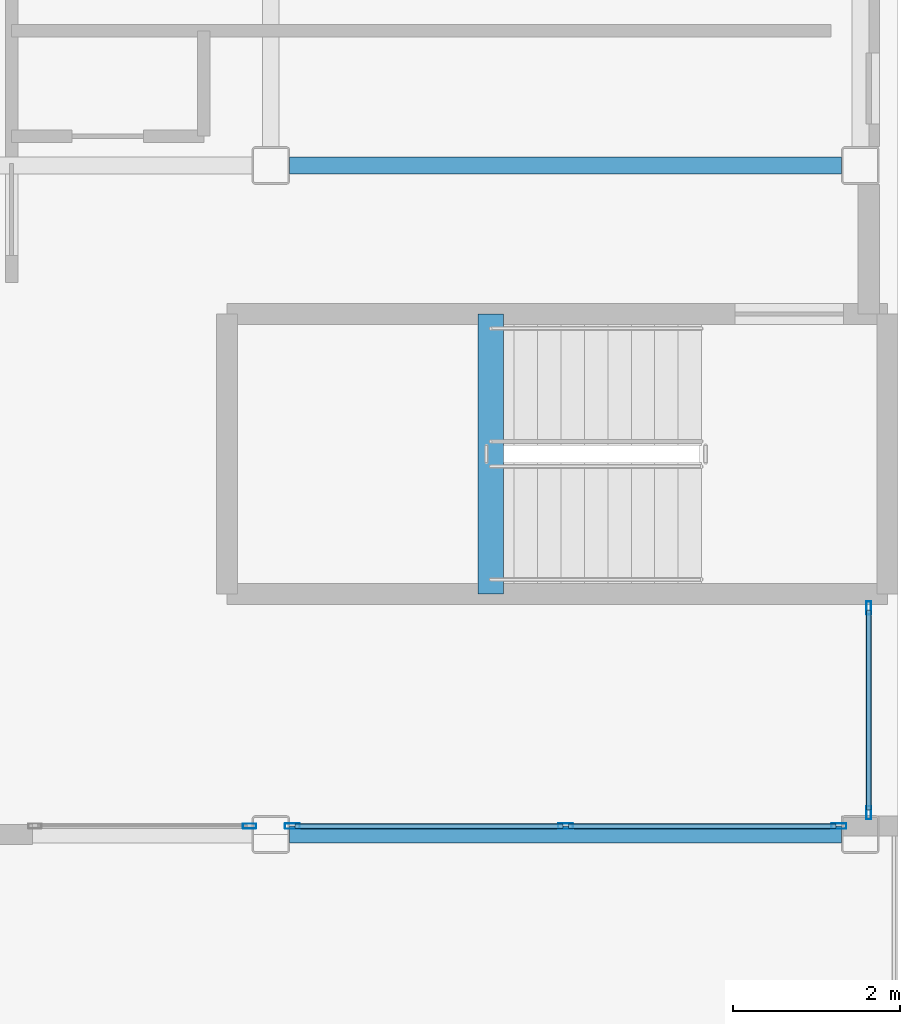
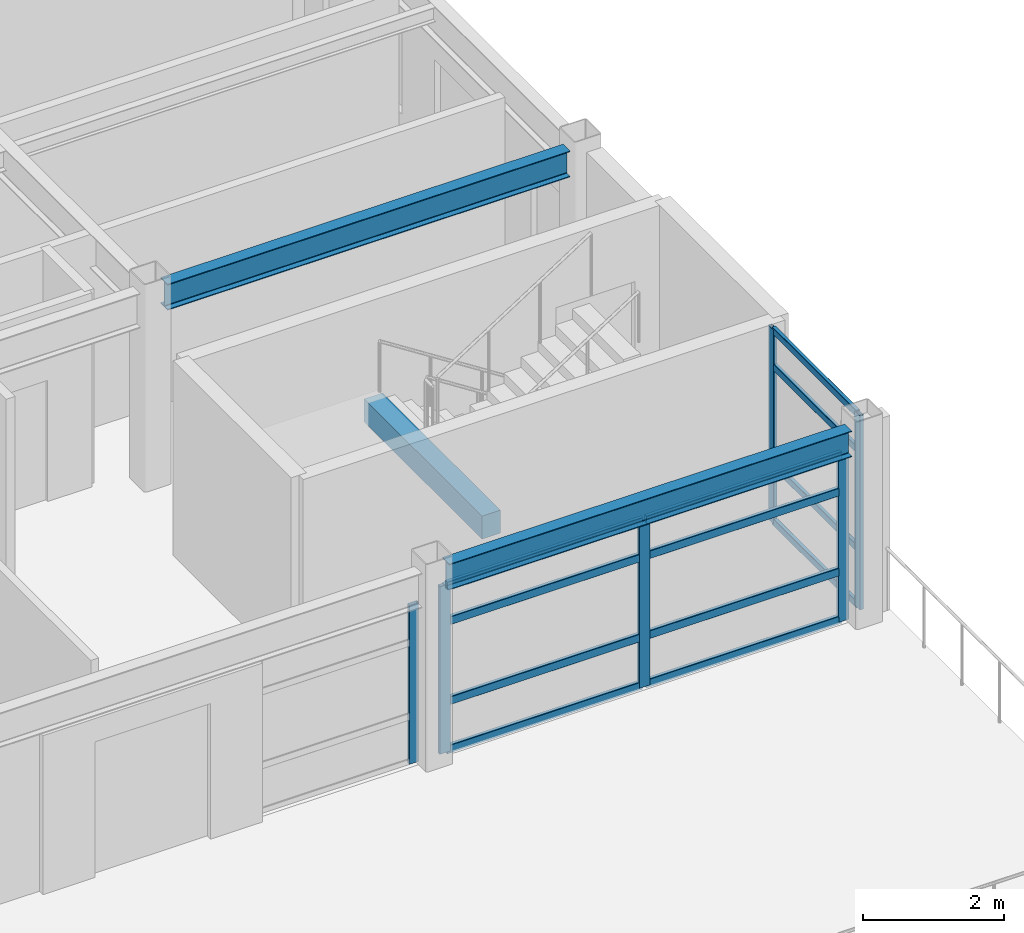
# One storey, part 6 of 28: 18 members, 3 beams, 3 elements without a shape of their own.
"""IFC4 building model written with IfcOpenShell, lengths in metres."""

from ifc_helpers import new_model, si_unit, direction, frame, origin, origin_2d, place, context, subcontext, project, spatial, rectangle, hollow_rectangle, i_section, extrude, material, layer, layer_set, material_profile, profile_set, type_object, element, aggregate, save


model = new_model("IFC4")

# Units and contexts
model_context = context("Model", 3, precision=1e-05, world=origin(), true_north=direction((0.0, 1.0)))
body_context = subcontext(model_context, "Body", "Model", "MODEL_VIEW")
ifc_project = project(units=[si_unit("LENGTHUNIT", "METRE"), si_unit("AREAUNIT", "SQUARE_METRE"), si_unit("VOLUMEUNIT", "CUBIC_METRE"), si_unit("PLANEANGLEUNIT", "RADIAN"), si_unit("MASSUNIT", "GRAM", prefix="KILO")], contexts=[model_context])

# Site, building, storey
site_placement = place(None, origin())
site = spatial("IfcSite", under=ifc_project, at=site_placement, CompositionType="ELEMENT")
building_placement = place(site_placement, origin())
building = spatial("IfcBuilding", under=site, at=building_placement, Name="Kazehara Bluff Congress Hotel", CompositionType="ELEMENT")
storey_placement = place(building_placement, frame((0.0, 0.0, 42.60009765625)))
storey = spatial("IfcBuildingStorey", under=building, at=storey_placement, Name="L10", CompositionType="ELEMENT", Elevation=42.60009765625)

# Curtain wall, member
ifc_material_1 = material(Name="Anodised aluminium", Category="aluminium")
ifc_layer_1 = layer(ifc_material_1, 0.159912109375)
ifc_layer_set_1 = layer_set([ifc_layer_1], Name="Anodised aluminium")
curtain_wall_type_1 = type_object("IfcCurtainWallType", Name="TP-CW-197", PredefinedType="NOTDEFINED", material=ifc_layer_set_1)
curtain_wall_1_placement = place(storey_placement, origin())
curtain_wall_1 = element("IfcCurtainWall", 1, at=curtain_wall_1_placement, inside=storey, type_object=curtain_wall_type_1, Name="L10 curtain wall CW-197 CW-ENC-V5-L10-15896-1610", PredefinedType="NOTDEFINED")
ifc_material_2 = material(Name="Anodised aluminium", Category="aluminium")
ifc_material_profile_1 = material_profile(ifc_material_2, hollow_rectangle(XDim=0.06005859375, YDim=0.159912109375, WallThickness=0.00390625, InnerFilletRadius=0.00390625, OuterFilletRadius=0.008056640625, at=origin_2d()))
ifc_profile_set_1 = profile_set([ifc_material_profile_1], Name="Anodised aluminium")
member_type_1 = type_object("IfcMemberType", Name="TP-CWM-01", PredefinedType="MULLION", material=ifc_profile_set_1)
member_1_placement = place(storey_placement, frame((160.2451171875, 16.10009765625, 0.0), z_axis=(0.0, 0.0, 1.0), x_axis=(0.0, -1.0, 0.0)))
member_1 = element("IfcMember", 2, at=member_1_placement, type_object=member_type_1, Name="CW-197 mullion 1", PredefinedType="MULLION", context=body_context, shape_type="SweptSolid", body=[
    extrude(hollow_rectangle(XDim=0.06005859375, YDim=0.159912109375, WallThickness=0.00390625, InnerFilletRadius=0.00390625, OuterFilletRadius=0.008056640625, at=origin_2d()), origin(), (0.0, 0.0, 1.0), 2.7548828125),
])
aggregate(curtain_wall_1, [member_1])

# Curtain wall, members
ifc_material_3 = material(Name="Anodised aluminium", Category="aluminium")
ifc_layer_2 = layer(ifc_material_3, 0.159912109375)
ifc_layer_set_2 = layer_set([ifc_layer_2], Name="Anodised aluminium")
curtain_wall_type_2 = type_object("IfcCurtainWallType", Name="TP-CW-199", PredefinedType="NOTDEFINED", material=ifc_layer_set_2)
curtain_wall_2_placement = place(storey_placement, origin())
curtain_wall_2 = element("IfcCurtainWall", 3, at=curtain_wall_2_placement, inside=storey, type_object=curtain_wall_type_2, Name="L10 curtain wall CW-199 CW-ENC-V5-L10-16765-1748", PredefinedType="NOTDEFINED")
member_2_placement = place(storey_placement, frame((167.64990234375, 18.7099609375, 0.0), z_axis=(0.0, 0.0, 1.0), x_axis=(1.0, 0.0, 0.0)))
member_2 = element("IfcMember", 4, at=member_2_placement, type_object=member_type_1, Name="CW-199 mullion 1", PredefinedType="MULLION", context=body_context, shape_type="SweptSolid", body=[
    extrude(hollow_rectangle(XDim=0.06005859375, YDim=0.159912109375, WallThickness=0.00390625, InnerFilletRadius=0.00390625, OuterFilletRadius=0.008056640625, at=origin_2d()), origin(), (0.0, 0.0, 1.0), 3.364990234375),
])
member_3_placement = place(storey_placement, frame((167.64990234375, 16.260009765625, 0.0), z_axis=(0.0, 0.0, 1.0), x_axis=(1.0, 0.0, 0.0)))
member_3 = element("IfcMember", 5, at=member_3_placement, type_object=member_type_1, Name="CW-199 mullion 2", PredefinedType="MULLION", context=body_context, shape_type="SweptSolid", body=[
    extrude(hollow_rectangle(XDim=0.06005859375, YDim=0.159912109375, WallThickness=0.00390625, InnerFilletRadius=0.00390625, OuterFilletRadius=0.008056640625, at=origin_2d()), origin(), (0.0, 0.0, 1.0), 3.364990234375),
])

ifc_material_4 = material(Name="Anodised aluminium", Category="aluminium")
ifc_layer_3 = layer(ifc_material_4, 0.159912109375)
ifc_layer_set_3 = layer_set([ifc_layer_3], Name="Anodised aluminium")
curtain_wall_type_3 = type_object("IfcCurtainWallType", Name="TP-CW-198", PredefinedType="NOTDEFINED", material=ifc_layer_set_3)
curtain_wall_3_placement = place(storey_placement, origin())
curtain_wall_3 = element("IfcCurtainWall", 6, at=curtain_wall_3_placement, inside=storey, type_object=curtain_wall_type_3, Name="L10 curtain wall CW-198 CW-ENC-V5-L10-16402-1610", PredefinedType="NOTDEFINED")
ifc_material_5 = material(Name="Anodised aluminium", Category="aluminium")
ifc_material_profile_2 = material_profile(ifc_material_5, hollow_rectangle(XDim=0.06494140625, YDim=0.179931640625, WallThickness=0.00390625, InnerFilletRadius=0.00390625, OuterFilletRadius=0.008056640625, at=origin_2d()))
ifc_profile_set_2 = profile_set([ifc_material_profile_2], Name="Anodised aluminium")
member_type_2 = type_object("IfcMemberType", Name="TP-CWM-02", PredefinedType="MULLION", material=ifc_profile_set_2)
member_4_placement = place(storey_placement, frame((167.29248046875, 16.10009765625, 0.0), z_axis=(0.0, 0.0, 1.0), x_axis=(0.0, -1.0, 0.0)))
member_4 = element("IfcMember", 7, at=member_4_placement, type_object=member_type_2, Name="CW-198 mullion 1", PredefinedType="MULLION", context=body_context, shape_type="SweptSolid", body=[
    extrude(hollow_rectangle(XDim=0.06494140625, YDim=0.179931640625, WallThickness=0.00390625, InnerFilletRadius=0.00390625, OuterFilletRadius=0.008056640625, at=origin_2d()), origin(), (0.0, 0.0, 1.0), 2.90478515625),
])
member_5_placement = place(storey_placement, frame((164.02490234375, 16.10009765625, 0.0), z_axis=(0.0, 0.0, 1.0), x_axis=(0.0, -1.0, 0.0)))
member_5 = element("IfcMember", 8, at=member_5_placement, type_object=member_type_2, Name="CW-198 mullion 2", PredefinedType="MULLION", context=body_context, shape_type="SweptSolid", body=[
    extrude(hollow_rectangle(XDim=0.06494140625, YDim=0.179931640625, WallThickness=0.00390625, InnerFilletRadius=0.00390625, OuterFilletRadius=0.008056640625, at=origin_2d()), origin(), (0.0, 0.0, 1.0), 2.90478515625),
])
member_6_placement = place(storey_placement, frame((160.757568359375, 16.10009765625, 0.0), z_axis=(0.0, 0.0, 1.0), x_axis=(0.0, -1.0, 0.0)))
member_6 = element("IfcMember", 9, at=member_6_placement, type_object=member_type_2, Name="CW-198 mullion 3", PredefinedType="MULLION", context=body_context, shape_type="SweptSolid", body=[
    extrude(hollow_rectangle(XDim=0.06494140625, YDim=0.179931640625, WallThickness=0.00390625, InnerFilletRadius=0.00390625, OuterFilletRadius=0.008056640625, at=origin_2d()), origin(), (0.0, 0.0, 1.0), 2.90478515625),
])

# Member
ifc_material_6 = material(Name="Anodised aluminium", Category="aluminium")
ifc_material_profile_3 = material_profile(ifc_material_6, hollow_rectangle(XDim=0.06005859375, YDim=0.1201171875, WallThickness=0.00390625, InnerFilletRadius=0.00390625, OuterFilletRadius=0.008056640625, at=origin_2d()))
ifc_profile_set_3 = profile_set([ifc_material_profile_3], Name="Anodised aluminium")
member_type_3 = type_object("IfcMemberType", Name="TP-CWT-01", PredefinedType="USERDEFINED", material=ifc_profile_set_3)
member_7_placement = place(storey_placement, frame((167.64990234375, 18.679931640625, 0.02978515625), z_axis=(0.0, -1.0, 0.0), x_axis=(1.0, 0.0, 0.0)))
member_7 = element("IfcMember", 10, at=member_7_placement, type_object=member_type_3, Name="CW-199 transom 1.1", ObjectType="TRANSOM", PredefinedType="USERDEFINED", context=body_context, shape_type="SweptSolid", body=[
    extrude(hollow_rectangle(XDim=0.06005859375, YDim=0.1201171875, WallThickness=0.00390625, InnerFilletRadius=0.00390625, OuterFilletRadius=0.008056640625, at=origin_2d()), origin(), (0.0, 0.0, 1.0), 2.389892578125),
])

member_8_placement = place(storey_placement, frame((167.64990234375, 18.679931640625, 1.010009765625), z_axis=(0.0, -1.0, 0.0), x_axis=(1.0, 0.0, 0.0)))
member_8 = element("IfcMember", 11, at=member_8_placement, type_object=member_type_3, Name="CW-199 transom 1.2", ObjectType="TRANSOM", PredefinedType="USERDEFINED", context=body_context, shape_type="SweptSolid", body=[
    extrude(hollow_rectangle(XDim=0.06005859375, YDim=0.1201171875, WallThickness=0.00390625, InnerFilletRadius=0.00390625, OuterFilletRadius=0.008056640625, at=origin_2d()), origin(), (0.0, 0.0, 1.0), 2.389892578125),
])

member_9_placement = place(storey_placement, frame((167.64990234375, 18.679931640625, 2.71484375), z_axis=(0.0, -1.0, 0.0), x_axis=(1.0, 0.0, 0.0)))
member_9 = element("IfcMember", 12, at=member_9_placement, type_object=member_type_3, Name="CW-199 transom 1.3", ObjectType="TRANSOM", PredefinedType="USERDEFINED", context=body_context, shape_type="SweptSolid", body=[
    extrude(hollow_rectangle(XDim=0.06005859375, YDim=0.1201171875, WallThickness=0.00390625, InnerFilletRadius=0.00390625, OuterFilletRadius=0.008056640625, at=origin_2d()), origin(), (0.0, 0.0, 1.0), 2.389892578125),
])

member_10_placement = place(storey_placement, frame((167.64990234375, 18.679931640625, 3.3349609375), z_axis=(0.0, -1.0, 0.0), x_axis=(1.0, 0.0, 0.0)))
member_10 = element("IfcMember", 13, at=member_10_placement, type_object=member_type_3, Name="CW-199 transom 1.4", ObjectType="TRANSOM", PredefinedType="USERDEFINED", context=body_context, shape_type="SweptSolid", body=[
    extrude(hollow_rectangle(XDim=0.06005859375, YDim=0.1201171875, WallThickness=0.00390625, InnerFilletRadius=0.00390625, OuterFilletRadius=0.008056640625, at=origin_2d()), origin(), (0.0, 0.0, 1.0), 2.389892578125),
])

aggregate(curtain_wall_2, [member_2, member_3, member_7, member_8, member_9, member_10])

ifc_material_7 = material(Name="Anodised aluminium", Category="aluminium")
ifc_material_profile_4 = material_profile(ifc_material_7, hollow_rectangle(XDim=0.06494140625, YDim=0.139892578125, WallThickness=0.00390625, InnerFilletRadius=0.00390625, OuterFilletRadius=0.008056640625, at=origin_2d()))
ifc_profile_set_4 = profile_set([ifc_material_profile_4], Name="Anodised aluminium")
member_type_4 = type_object("IfcMemberType", Name="TP-CWT-02", PredefinedType="USERDEFINED", material=ifc_profile_set_4)
member_11_placement = place(storey_placement, frame((167.260009765625, 16.10009765625, 0.032470703125), z_axis=(-1.0, 0.0, 0.0), x_axis=(0.0, -1.0, 0.0)))
member_11 = element("IfcMember", 14, at=member_11_placement, type_object=member_type_4, Name="CW-198 transom 1.1", ObjectType="TRANSOM", PredefinedType="USERDEFINED", context=body_context, shape_type="SweptSolid", body=[
    extrude(hollow_rectangle(XDim=0.06494140625, YDim=0.139892578125, WallThickness=0.00390625, InnerFilletRadius=0.00390625, OuterFilletRadius=0.008056640625, at=origin_2d()), origin(), (0.0, 0.0, 1.0), 3.202392578125),
])

member_12_placement = place(storey_placement, frame((167.260009765625, 16.10009765625, 0.869873046875), z_axis=(-1.0, 0.0, 0.0), x_axis=(0.0, -1.0, 0.0)))
member_12 = element("IfcMember", 15, at=member_12_placement, type_object=member_type_4, Name="CW-198 transom 1.2", ObjectType="TRANSOM", PredefinedType="USERDEFINED", context=body_context, shape_type="SweptSolid", body=[
    extrude(hollow_rectangle(XDim=0.06494140625, YDim=0.139892578125, WallThickness=0.00390625, InnerFilletRadius=0.00390625, OuterFilletRadius=0.008056640625, at=origin_2d()), origin(), (0.0, 0.0, 1.0), 3.202392578125),
])

member_13_placement = place(storey_placement, frame((167.260009765625, 16.10009765625, 2.2548828125), z_axis=(-1.0, 0.0, 0.0), x_axis=(0.0, -1.0, 0.0)))
member_13 = element("IfcMember", 16, at=member_13_placement, type_object=member_type_4, Name="CW-198 transom 1.3", ObjectType="TRANSOM", PredefinedType="USERDEFINED", context=body_context, shape_type="SweptSolid", body=[
    extrude(hollow_rectangle(XDim=0.06494140625, YDim=0.139892578125, WallThickness=0.00390625, InnerFilletRadius=0.00390625, OuterFilletRadius=0.008056640625, at=origin_2d()), origin(), (0.0, 0.0, 1.0), 3.202392578125),
])

member_14_placement = place(storey_placement, frame((167.260009765625, 16.10009765625, 2.872314453125), z_axis=(-1.0, 0.0, 0.0), x_axis=(0.0, -1.0, 0.0)))
member_14 = element("IfcMember", 17, at=member_14_placement, type_object=member_type_4, Name="CW-198 transom 1.4", ObjectType="TRANSOM", PredefinedType="USERDEFINED", context=body_context, shape_type="SweptSolid", body=[
    extrude(hollow_rectangle(XDim=0.06494140625, YDim=0.139892578125, WallThickness=0.00390625, InnerFilletRadius=0.00390625, OuterFilletRadius=0.008056640625, at=origin_2d()), origin(), (0.0, 0.0, 1.0), 3.202392578125),
])

member_15_placement = place(storey_placement, frame((163.992431640625, 16.10009765625, 0.032470703125), z_axis=(-1.0, 0.0, 0.0), x_axis=(0.0, -1.0, 0.0)))
member_15 = element("IfcMember", 18, at=member_15_placement, type_object=member_type_4, Name="CW-198 transom 2.1", ObjectType="TRANSOM", PredefinedType="USERDEFINED", context=body_context, shape_type="SweptSolid", body=[
    extrude(hollow_rectangle(XDim=0.06494140625, YDim=0.139892578125, WallThickness=0.00390625, InnerFilletRadius=0.00390625, OuterFilletRadius=0.008056640625, at=origin_2d()), origin(), (0.0, 0.0, 1.0), 3.202392578125),
])

member_16_placement = place(storey_placement, frame((163.992431640625, 16.10009765625, 0.869873046875), z_axis=(-1.0, 0.0, 0.0), x_axis=(0.0, -1.0, 0.0)))
member_16 = element("IfcMember", 19, at=member_16_placement, type_object=member_type_4, Name="CW-198 transom 2.2", ObjectType="TRANSOM", PredefinedType="USERDEFINED", context=body_context, shape_type="SweptSolid", body=[
    extrude(hollow_rectangle(XDim=0.06494140625, YDim=0.139892578125, WallThickness=0.00390625, InnerFilletRadius=0.00390625, OuterFilletRadius=0.008056640625, at=origin_2d()), origin(), (0.0, 0.0, 1.0), 3.202392578125),
])

member_17_placement = place(storey_placement, frame((163.992431640625, 16.10009765625, 2.2548828125), z_axis=(-1.0, 0.0, 0.0), x_axis=(0.0, -1.0, 0.0)))
member_17 = element("IfcMember", 20, at=member_17_placement, type_object=member_type_4, Name="CW-198 transom 2.3", ObjectType="TRANSOM", PredefinedType="USERDEFINED", context=body_context, shape_type="SweptSolid", body=[
    extrude(hollow_rectangle(XDim=0.06494140625, YDim=0.139892578125, WallThickness=0.00390625, InnerFilletRadius=0.00390625, OuterFilletRadius=0.008056640625, at=origin_2d()), origin(), (0.0, 0.0, 1.0), 3.202392578125),
])

member_18_placement = place(storey_placement, frame((163.992431640625, 16.10009765625, 2.872314453125), z_axis=(-1.0, 0.0, 0.0), x_axis=(0.0, -1.0, 0.0)))
member_18 = element("IfcMember", 21, at=member_18_placement, type_object=member_type_4, Name="CW-198 transom 2.4", ObjectType="TRANSOM", PredefinedType="USERDEFINED", context=body_context, shape_type="SweptSolid", body=[
    extrude(hollow_rectangle(XDim=0.06494140625, YDim=0.139892578125, WallThickness=0.00390625, InnerFilletRadius=0.00390625, OuterFilletRadius=0.008056640625, at=origin_2d()), origin(), (0.0, 0.0, 1.0), 3.202392578125),
])

aggregate(curtain_wall_3, [member_4, member_5, member_6, member_11, member_12, member_13, member_14, member_15, member_16, member_17, member_18])

# Beams
ifc_material_8 = material(Name="Steel SN490B", Category="steel")
ifc_material_profile_5 = material_profile(ifc_material_8, i_section(OverallWidth=0.199951171875, OverallDepth=0.449951171875, WebThickness=0.009033203125, FlangeThickness=0.013916015625, FilletRadius=0.012939453125, at=origin_2d()))
ifc_profile_set_5 = profile_set([ifc_material_profile_5], Name="Steel SN490B")
beam_type_1 = type_object("IfcBeamType", Name="TP-G-11", PredefinedType="BEAM", material=ifc_profile_set_5)
for number, where, z_axis, x_axis, name in (
    (22, (160.72509765625, 16.0, 3.15478515625), (1.0, 0.0, 0.0), (0.0, 1.0, 0.0), "L10 girder G-11 27"),
    (23, (160.72509765625, 24.0, 3.15478515625), (1.0, 0.0, 0.0), (0.0, 1.0, 0.0), "L10 girder G-11 30"),
):
    element("IfcBeam", number, at=place(storey_placement, frame(where, z_axis=z_axis, x_axis=x_axis)), inside=storey, type_object=beam_type_1, Name=name, PredefinedType="BEAM", context=body_context, shape_type="SweptSolid", body=[
        extrude(i_section(OverallWidth=0.199951171875, OverallDepth=0.449951171875, WebThickness=0.009033203125, FlangeThickness=0.013916015625, FilletRadius=0.012939453125, at=origin_2d()), origin(), (0.0, 0.0, 1.0), 6.599853515625),
    ])
ifc_material_9 = material(Name="Concrete C40/50", Category="concrete")
ifc_material_profile_6 = material_profile(ifc_material_9, rectangle(XDim=0.300048828125, YDim=0.39990234375, at=origin_2d()))
ifc_profile_set_6 = profile_set([ifc_material_profile_6], Name="Concrete C40/50")
beam_type_2 = type_object("IfcBeamType", Name="TP-LN-02", PredefinedType="LINTEL", material=ifc_profile_set_6)
beam_placement = place(storey_placement, frame((163.1298828125, 22.22509765625, 1.419921875), z_axis=(0.0, -1.0, 0.0), x_axis=(1.0, 0.0, 0.0)))
element("IfcBeam", 24, at=beam_placement, inside=storey, type_object=beam_type_2, Name="L10 ST-10 half-landing support beam 1", PredefinedType="LINTEL", context=body_context, shape_type="SweptSolid", body=[
    extrude(rectangle(XDim=0.300048828125, YDim=0.39990234375, at=origin_2d()), origin(), (0.0, 0.0, 1.0), 3.35009765625),
])

save(model, "model.ifc")
